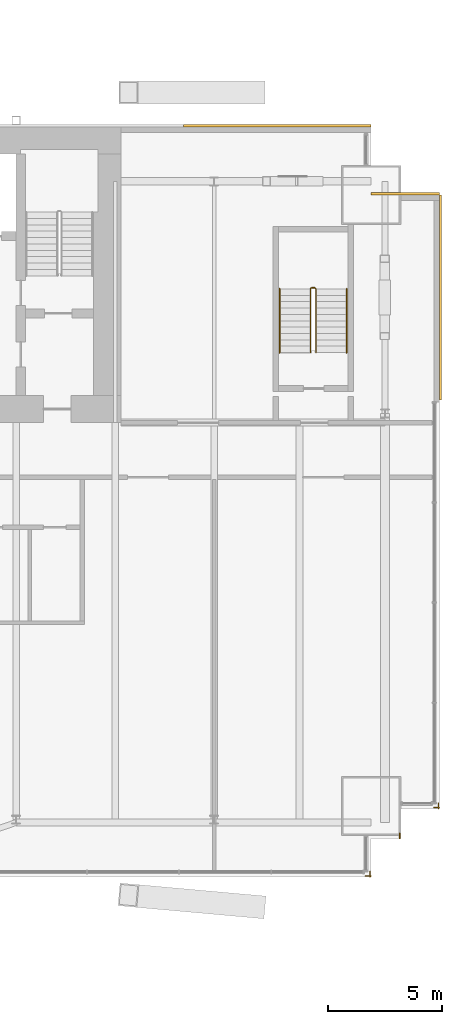
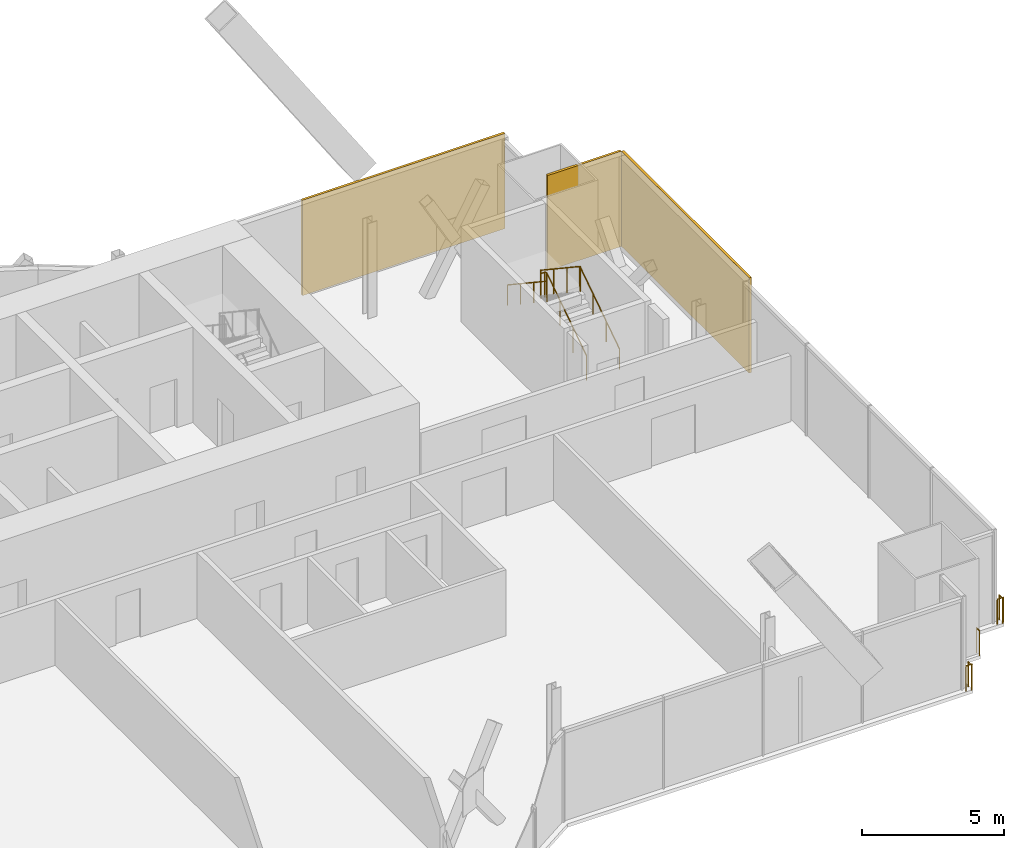
# One storey, part 21 of 21: 6 railings, 3 coverings.
"""IFC4 building model written with IfcOpenShell, lengths in metres."""

from ifc_helpers import new_model, si_unit, direction, frame, origin, origin_2d, place, context, subcontext, project, spatial, rectangle, circle, extrude, material, layer, layer_set, type_object, element, save


model = new_model("IFC4")

# Units and contexts
model_context = context("Model", 3, precision=1e-05, world=origin(), true_north=direction((0.0, 1.0)))
body_context = subcontext(model_context, "Body", "Model", "MODEL_VIEW")
ifc_project = project(units=[si_unit("LENGTHUNIT", "METRE"), si_unit("AREAUNIT", "SQUARE_METRE"), si_unit("VOLUMEUNIT", "CUBIC_METRE"), si_unit("PLANEANGLEUNIT", "RADIAN"), si_unit("MASSUNIT", "GRAM", prefix="KILO")], contexts=[model_context])

# Site, building, storey
site_placement = place(None, origin())
site = spatial("IfcSite", under=ifc_project, at=site_placement, CompositionType="ELEMENT")
building_placement = place(site_placement, origin())
building = spatial("IfcBuilding", under=site, at=building_placement, Name="Bicima Exchange Tower", CompositionType="ELEMENT")
storey_placement = place(building_placement, frame((0.0, 0.0, 195.0)))
storey = spatial("IfcBuildingStorey", under=building, at=storey_placement, Name="L43", CompositionType="ELEMENT", Elevation=195.0)

# Coverings
ifc_material_1 = material(Name="Bronze metal cladding")
ifc_layer_1 = layer(ifc_material_1, 0.004)
ifc_material_2 = material(Name="Ventilated cavity")
ifc_layer_2 = layer(ifc_material_2, 0.06)
ifc_material_3 = material(Name="Galvanised steel rail and mineral wool", Category="steel")
ifc_layer_3 = layer(ifc_material_3, 0.036)
ifc_layer_set = layer_set([ifc_layer_1, ifc_layer_2, ifc_layer_3], Name="Ventilated cavity")
covering_type = type_object("IfcCoveringType", Name="Bronze metal cladding panel 100", PredefinedType="CLADDING", material=ifc_layer_set)
covering_1_placement = place(storey_placement, frame((28.875, 0.050048828125, -0.150146484375), z_axis=(0.0, 0.0, 1.0), x_axis=(-1.0, 0.0, 0.0)))
element("IfcCovering", 1, at=covering_1_placement, inside=storey, type_object=covering_type, Name="Bronze cladding L43 1.1", PredefinedType="CLADDING", context=body_context, shape_type="SweptSolid", body=[
    extrude(rectangle(XDim=8.25, YDim=0.10009765625, at=origin_2d()), origin(), (0.0, 0.0, 1.0), 4.10009765625),
])
covering_2_placement = place(storey_placement, frame((36.050048828125, -7.5, -0.150146484375), z_axis=(0.0, 0.0, 1.0), x_axis=(0.0, 1.0, 0.0)))
element("IfcCovering", 2, at=covering_2_placement, inside=storey, type_object=covering_type, Name="Bronze cladding L43 50.1", PredefinedType="CLADDING", context=body_context, shape_type="SweptSolid", body=[
    extrude(rectangle(XDim=9.0, YDim=0.10009765625, at=origin_2d()), origin(), (0.0, 0.0, 1.0), 4.10009765625),
])
covering_3_placement = place(storey_placement, frame((34.5, -2.949951171875, -0.150146484375), z_axis=(0.0, 0.0, 1.0), x_axis=(-1.0, 0.0, 0.0)))
element("IfcCovering", 3, at=covering_3_placement, inside=storey, type_object=covering_type, Name="Bronze cladding L43 51.1", PredefinedType="CLADDING", context=body_context, shape_type="SweptSolid", body=[
    extrude(rectangle(XDim=3.0, YDim=0.10009765625, at=origin_2d()), origin(), (0.0, 0.0, 1.0), 4.10009765625),
])

# Railings
ifc_material_4 = material(Name="Stainless steel and bonded safety glass", Category="steel")
railing_type_1 = type_object("IfcRailingType", Name="Edge guard 1100", PredefinedType="GUARDRAIL", material=ifc_material_4)
railing_1_placement = place(storey_placement, frame((35.949951171875, -29.721923828125, 0.0)))
element("IfcRailing", 4, at=railing_1_placement, inside=storey, type_object=railing_type_1, Name="Edge guard L43 214", PredefinedType="GUARDRAIL", context=body_context, shape_type="SweptSolid", body=[
    extrude(circle(Radius=0.02392578125, at=origin_2d()), frame((0.0, 0.0, 1.076171875), z_axis=(0.0, -1.0, 0.0), x_axis=(1.0, 0.0, 0.0)), (0.0, 0.0, 1.0), 0.25),
    extrude(circle(Radius=0.02392578125, at=origin_2d()), frame((0.0, -0.25, 1.076171875), z_axis=(0.708833529934, 0.705375805398, 0.0), x_axis=(-0.705375805398, 0.708833529934, 0.0)), (0.0, 0.0, 1.0), 0.070556640625),
    extrude(circle(Radius=0.02392578125, at=origin_2d()), frame((0.050048828125, -0.2001953125, 1.076171875), z_axis=(-1.0, 0.0, 0.0), x_axis=(0.0, -1.0, 0.0)), (0.0, 0.0, 1.0), 0.242919921875),
    extrude(circle(Radius=0.02099609375, at=origin_2d()), origin(), (0.0, 0.0, 1.0), 1.052001953125),
    extrude(circle(Radius=0.02099609375, at=origin_2d()), frame((0.0, -0.25, 0.0)), (0.0, 0.0, 1.0), 1.052001953125),
    extrude(circle(Radius=0.02099609375, at=origin_2d()), frame((0.050048828125, -0.2001953125, 0.0)), (0.0, 0.0, 1.0), 1.052001953125),
    extrude(circle(Radius=0.02099609375, at=origin_2d()), frame((-0.19287109375, -0.2001953125, 0.0)), (0.0, 0.0, 1.0), 1.052001953125),
])
railing_2_placement = place(storey_placement, frame((34.25, -31.054931640625, 0.0)))
element("IfcRailing", 5, at=railing_2_placement, inside=storey, type_object=railing_type_1, Name="Edge guard L43 215", PredefinedType="GUARDRAIL", context=body_context, shape_type="SweptSolid", body=[
    extrude(circle(Radius=0.02392578125, at=origin_2d()), frame((0.0, 0.0, 1.076171875), z_axis=(0.0, -1.0, 0.0), x_axis=(1.0, 0.0, 0.0)), (0.0, 0.0, 1.0), 0.217041015625),
    extrude(circle(Radius=0.02099609375, at=origin_2d()), origin(), (0.0, 0.0, 1.0), 1.052001953125),
    extrude(circle(Radius=0.02099609375, at=origin_2d()), frame((0.0, -0.217041015625, 0.0)), (0.0, 0.0, 1.0), 1.052001953125),
])
railing_3_placement = place(storey_placement, frame((32.949951171875, -32.72900390625, 0.0)))
element("IfcRailing", 6, at=railing_3_placement, inside=storey, type_object=railing_type_1, Name="Edge guard L43 216", PredefinedType="GUARDRAIL", context=body_context, shape_type="SweptSolid", body=[
    extrude(circle(Radius=0.02392578125, at=origin_2d()), frame((0.0, 0.0, 1.076171875), z_axis=(0.0, -1.0, 0.0), x_axis=(1.0, 0.0, 0.0)), (0.0, 0.0, 1.0), 0.242919921875),
    extrude(circle(Radius=0.02392578125, at=origin_2d()), frame((0.0, -0.242919921875, 1.076171875), z_axis=(0.708833529934, 0.705375805398, 0.0), x_axis=(-0.705375805398, 0.708833529934, 0.0)), (0.0, 0.0, 1.0), 0.070556640625),
    extrude(circle(Radius=0.02392578125, at=origin_2d()), frame((0.050048828125, -0.193115234375, 1.076171875), z_axis=(-1.0, 0.0, 0.0), x_axis=(0.0, -1.0, 0.0)), (0.0, 0.0, 1.0), 0.25),
    extrude(circle(Radius=0.02099609375, at=origin_2d()), origin(), (0.0, 0.0, 1.0), 1.052001953125),
    extrude(circle(Radius=0.02099609375, at=origin_2d()), frame((0.0, -0.242919921875, 0.0)), (0.0, 0.0, 1.0), 1.052001953125),
    extrude(circle(Radius=0.02099609375, at=origin_2d()), frame((0.050048828125, -0.193115234375, 0.0)), (0.0, 0.0, 1.0), 1.052001953125),
    extrude(circle(Radius=0.02099609375, at=origin_2d()), frame((-0.199951171875, -0.193115234375, 0.0)), (0.0, 0.0, 1.0), 1.052001953125),
])
ifc_material_5 = material(Name="Stainless steel", Category="steel")
railing_type_2 = type_object("IfcRailingType", Name="Stair guard 1100", PredefinedType="GUARDRAIL", material=ifc_material_5)
railing_4_placement = place(storey_placement, frame((30.574951171875, -9.925048828125, 0.186279296875)))
element("IfcRailing", 7, at=railing_4_placement, inside=storey, type_object=railing_type_2, Name="L43 ST-EE stair guard 1", PredefinedType="GUARDRAIL", context=body_context, shape_type="SweptSolid", body=[
    extrude(circle(Radius=0.02392578125, at=origin_2d()), frame((0.0, 0.0, 1.076171875), z_axis=(0.0, 0.832452072856, 0.554097055034), x_axis=(-1.0, 0.0, 0.0)), (0.0, 0.0, 1.0), 3.363525390625),
    extrude(circle(Radius=0.02392578125, at=origin_2d()), frame((0.0, 2.800048828125, 2.93994140625), z_axis=(-0.707106781187, 0.707106781187, 0.0), x_axis=(-0.707106781187, -0.707106781187, 0.0)), (0.0, 0.0, 1.0), 0.07080078125),
    extrude(circle(Radius=0.02392578125, at=origin_2d()), frame((-0.050048828125, 2.85009765625, 2.93994140625), z_axis=(-1.0, 0.0, 0.0), x_axis=(0.0, -1.0, 0.0)), (0.0, 0.0, 1.0), 0.14990234375),
    extrude(circle(Radius=0.02392578125, at=origin_2d()), frame((-0.199951171875, 2.85009765625, 2.93994140625), z_axis=(-0.251157038772, -0.251157038772, 0.934794246747), x_axis=(0.707106781187, -0.707106781187, 0.0)), (0.0, 0.0, 1.0), 0.19921875),
    extrude(circle(Radius=0.02392578125, at=origin_2d()), frame((-0.25, 2.800048828125, 3.1259765625), z_axis=(0.0, -0.832452072856, 0.554097055034), x_axis=(1.0, 0.0, 0.0)), (0.0, 0.0, 1.0), 3.363525390625),
    extrude(circle(Radius=0.02099609375, at=origin_2d()), origin(), (0.0, 0.0, 1.0), 1.052001953125),
    extrude(circle(Radius=0.02099609375, at=origin_2d()), frame((0.0, 0.933349609375, 0.621337890625)), (0.0, 0.0, 1.0), 1.052001953125),
    extrude(circle(Radius=0.02099609375, at=origin_2d()), frame((0.0, 1.86669921875, 1.242431640625)), (0.0, 0.0, 1.0), 1.052001953125),
    extrude(circle(Radius=0.02099609375, at=origin_2d()), frame((0.0, 2.800048828125, 1.86376953125)), (0.0, 0.0, 1.0), 1.052001953125),
    extrude(circle(Radius=0.02099609375, at=origin_2d()), frame((-0.050048828125, 2.85009765625, 1.86376953125)), (0.0, 0.0, 1.0), 1.052001953125),
    extrude(circle(Radius=0.02099609375, at=origin_2d()), frame((-0.199951171875, 2.85009765625, 1.86376953125)), (0.0, 0.0, 1.0), 1.052001953125),
    extrude(circle(Radius=0.02099609375, at=origin_2d()), frame((-0.25, 2.800048828125, 2.050048828125)), (0.0, 0.0, 1.0), 1.052001953125),
    extrude(circle(Radius=0.02099609375, at=origin_2d()), frame((-0.25, 1.86669921875, 2.67138671875)), (0.0, 0.0, 1.0), 1.052001953125),
    extrude(circle(Radius=0.02099609375, at=origin_2d()), frame((-0.25, 0.933349609375, 3.29248046875)), (0.0, 0.0, 1.0), 1.052001953125),
    extrude(circle(Radius=0.02099609375, at=origin_2d()), frame((-0.25, 0.0, 3.913818359375)), (0.0, 0.0, 1.0), 1.052001953125),
])
railing_type_3 = type_object("IfcRailingType", Name="Stair handrail 900", PredefinedType="HANDRAIL", material=ifc_material_5)
railing_5_placement = place(storey_placement, frame((31.925048828125, -9.925048828125, 0.186279296875)))
element("IfcRailing", 8, at=railing_5_placement, inside=storey, type_object=railing_type_3, Name="L43 ST-EE stair handrail 1", PredefinedType="HANDRAIL", context=body_context, shape_type="SweptSolid", body=[
    extrude(circle(Radius=0.02392578125, at=origin_2d()), frame((0.0, 0.0, 0.8759765625), z_axis=(0.0, 0.832452072856, 0.554097055034), x_axis=(-1.0, 0.0, 0.0)), (0.0, 0.0, 1.0), 3.363525390625),
    extrude(circle(Radius=0.02099609375, at=origin_2d()), origin(), (0.0, 0.0, 1.0), 0.851806640625),
    extrude(circle(Radius=0.02099609375, at=origin_2d()), frame((0.0, 0.933349609375, 0.621337890625)), (0.0, 0.0, 1.0), 0.851806640625),
    extrude(circle(Radius=0.02099609375, at=origin_2d()), frame((0.0, 1.86669921875, 1.242431640625)), (0.0, 0.0, 1.0), 0.851806640625),
    extrude(circle(Radius=0.02099609375, at=origin_2d()), frame((0.0, 2.800048828125, 1.86376953125)), (0.0, 0.0, 1.0), 0.851806640625),
])
railing_6_placement = place(storey_placement, frame((28.97509765625, -7.125, 2.27685546875)))
element("IfcRailing", 9, at=railing_6_placement, inside=storey, type_object=railing_type_3, Name="L43 ST-EE stair handrail 2", PredefinedType="HANDRAIL", context=body_context, shape_type="SweptSolid", body=[
    extrude(circle(Radius=0.02392578125, at=origin_2d()), frame((0.0, 0.0, 0.8759765625), z_axis=(0.0, -0.832485552168, 0.554046753832), x_axis=(1.0, 0.0, 0.0)), (0.0, 0.0, 1.0), 3.363525390625),
    extrude(circle(Radius=0.02099609375, at=origin_2d()), origin(), (0.0, 0.0, 1.0), 0.851806640625),
    extrude(circle(Radius=0.02099609375, at=origin_2d()), frame((0.0, -0.933349609375, 0.62109375)), (0.0, 0.0, 1.0), 0.851806640625),
    extrude(circle(Radius=0.02099609375, at=origin_2d()), frame((0.0, -1.86669921875, 1.242431640625)), (0.0, 0.0, 1.0), 0.851806640625),
    extrude(circle(Radius=0.02099609375, at=origin_2d()), frame((0.0, -2.800048828125, 1.863525390625)), (0.0, 0.0, 1.0), 0.851806640625),
])

save(model, "model.ifc")
